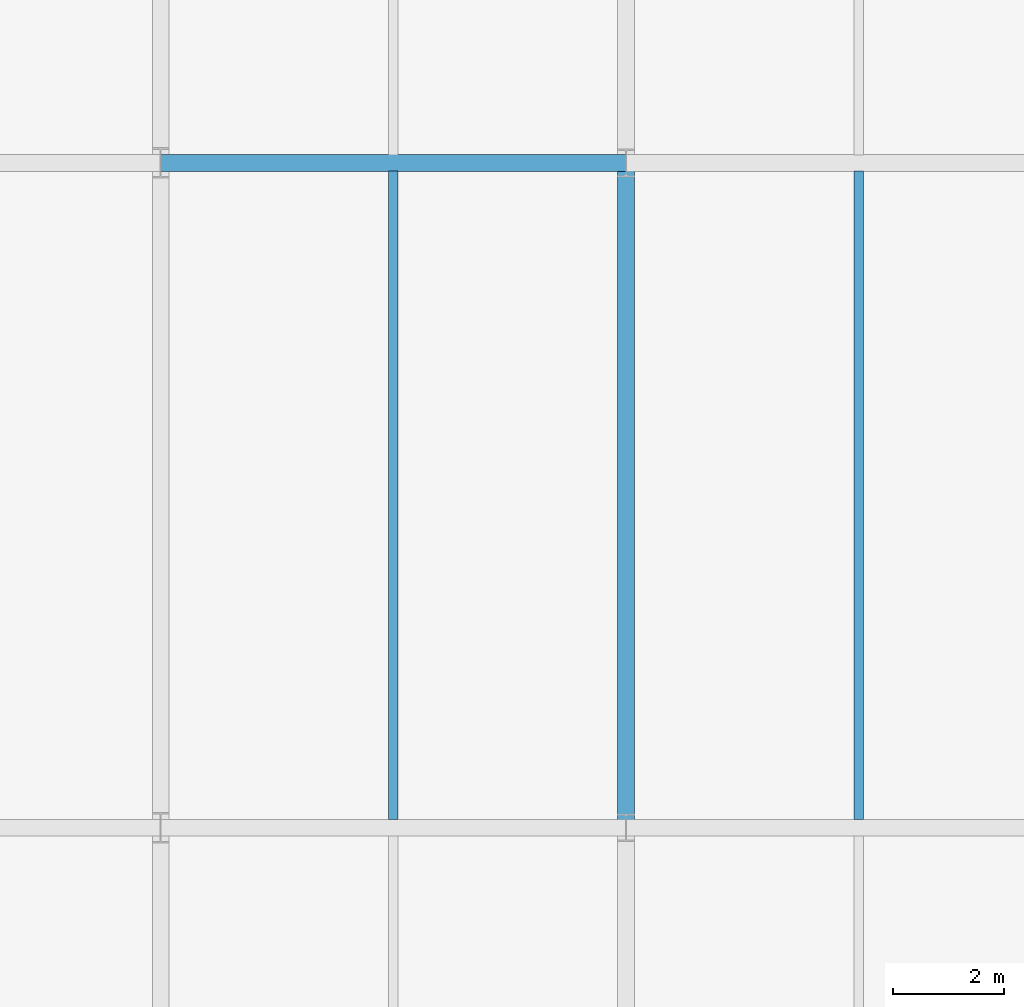
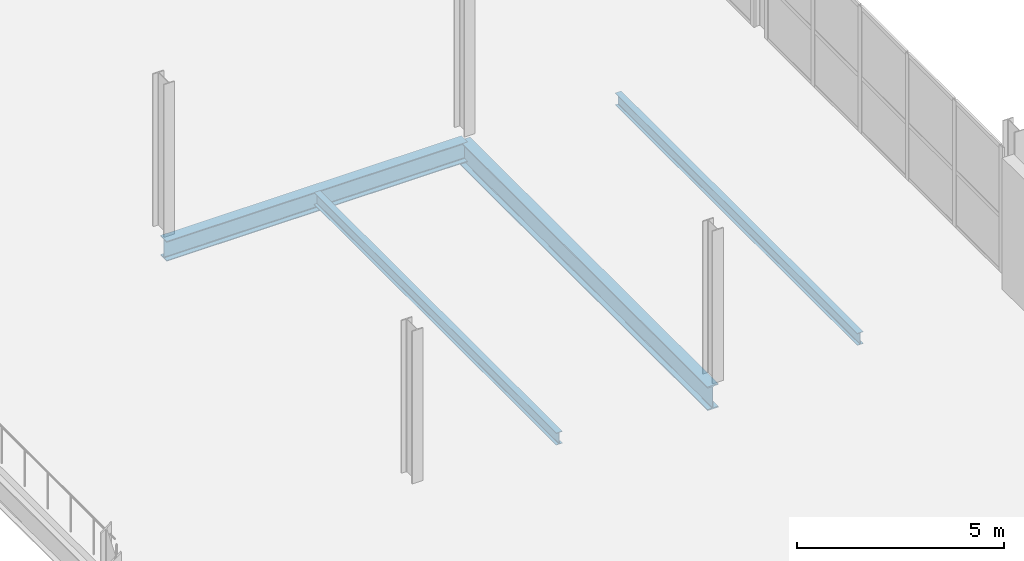
# One storey, part 49 of 109: 4 beams.
"""IFC4 building model written with IfcOpenShell, lengths in metres."""

import ifcopenshell
import ifcopenshell.guid

model = None  # the IFC model being written
_history = None  # IfcOwnerHistory: only IFC2X3 demands one
_inside = {}  # id of a spatial element -> (the spatial element, [elements in it])
_under = {}  # id of a project, library or spatial element -> (it, [spatial elements below it])
_declared = {}  # id of a project -> (the project, [libraries it declares])
_typed = {}  # id of a type object -> (the type object, [elements of that type])
_made_of = {}  # id of a material, layer set ... -> (it, [elements and type objects made of it])


def new_model(schema):
    """Start an empty IFC model of exactly this schema.

    Asked for "IFC4X3", IfcOpenShell would pick the latest addendum, in which some entities
    have other attributes; the version numbers below select the first issue.
    IFC2X3 requires an IfcOwnerHistory on every rooted entity: one is made here for all.
    """
    global model, _history
    if schema == "IFC4X3":
        model = ifcopenshell.file(schema_version=(4, 3, 0, 0))
    else:
        model = ifcopenshell.file(schema=schema)
    _inside.clear()
    _under.clear()
    _declared.clear()
    _typed.clear()
    _made_of.clear()
    _history = None
    if model.schema == "IFC2X3":
        org = make("IfcOrganization", Name="unknown")
        user = make(
            "IfcPersonAndOrganization",
            ThePerson=make("IfcPerson", FamilyName="unknown"),
            TheOrganization=org,
        )
        app = make(
            "IfcApplication",
            ApplicationDeveloper=org,
            Version="unknown",
            ApplicationFullName="unknown",
            ApplicationIdentifier="unknown",
        )
        _history = make(
            "IfcOwnerHistory",
            OwningUser=user,
            OwningApplication=app,
            ChangeAction="ADDED",
            CreationDate=0,
        )
    return model


def make(cls, **values):
    """One entity of the class cls with the attributes given. An attribute that is None is left unset."""
    return model.create_entity(
        cls, **{name: value for name, value in values.items() if value is not None}
    )


def rooted(cls, **values):
    """An entity with a GlobalId (a new one), such as an element, a storey or a relation."""
    return make(cls, GlobalId=ifcopenshell.guid.new(), OwnerHistory=_history, **values)


def si_unit(unit_type, name, prefix=None):
    """IfcSIUnit, for example si_unit("LENGTHUNIT", "METRE", prefix="MILLI")."""
    return make("IfcSIUnit", UnitType=unit_type, Prefix=prefix, Name=name)


def assignment(units):
    """IfcUnitAssignment: the units of a project."""
    return None if units is None else make("IfcUnitAssignment", Units=units)


def point(xyz):
    """IfcCartesianPoint."""
    return None if xyz is None else make("IfcCartesianPoint", Coordinates=xyz)


def direction(xyz):
    """IfcDirection."""
    return None if xyz is None else make("IfcDirection", DirectionRatios=xyz)


def frame(location, z_axis=None, x_axis=None):
    """IfcAxis2Placement3D, a coordinate frame: its origin and axes. An axis left out is left unset."""
    return make(
        "IfcAxis2Placement3D",
        Location=point(location),
        Axis=direction(z_axis),
        RefDirection=direction(x_axis),
    )


def frame_2d(location, x_axis=None):
    """IfcAxis2Placement2D, a coordinate frame in the plane: its origin and x axis."""
    return make(
        "IfcAxis2Placement2D", Location=point(location), RefDirection=direction(x_axis)
    )


def origin():
    """The frame at (0, 0, 0) with its axes left unset."""
    return frame((0.0, 0.0, 0.0))


def origin_2d():
    """The frame at (0, 0) in the plane with its x axis left unset."""
    return frame_2d((0.0, 0.0))


def place(relative_to, where):
    """IfcLocalPlacement: puts the frame where relative to a parent placement (None: the world)."""
    return make(
        "IfcLocalPlacement", PlacementRelTo=relative_to, RelativePlacement=where
    )


def context(
    kind, dimensions, precision=None, world=None, true_north=None, identifier=None
):
    """IfcGeometricRepresentationContext, for example the 3D "Model" context."""
    return make(
        "IfcGeometricRepresentationContext",
        ContextIdentifier=identifier,
        ContextType=kind,
        CoordinateSpaceDimension=dimensions,
        Precision=precision,
        WorldCoordinateSystem=world,
        TrueNorth=true_north,
    )


def subcontext(parent, identifier, kind, view, scale=None):
    """IfcGeometricRepresentationSubContext, for example "Body" below "Model"."""
    return make(
        "IfcGeometricRepresentationSubContext",
        ContextIdentifier=identifier,
        ContextType=kind,
        ParentContext=parent,
        TargetScale=scale,
        TargetView=view,
    )


def project(units=None, contexts=None):
    """IfcProject with its units and contexts."""
    return rooted(
        "IfcProject",
        Name="project",
        RepresentationContexts=contexts,
        UnitsInContext=assignment(units),
    )


def spatial(cls, under=None, at=None, **own):
    """A site, building, storey or space (cls), placed at a placement, below another one or the project."""
    s = rooted(cls, ObjectPlacement=at, **own)
    if under is not None:
        _under.setdefault(under.id(), (under, []))[1].append(s)
    return s


def profile(cls, at=None, kind="AREA", **sizes):
    """A parametric profile (cls). Its sizes go by their IFC names, for example OverallWidth=200.0."""
    return make(cls, ProfileType=kind, Position=at, **sizes)


def i_section(**sizes):
    """IfcIShapeProfileDef."""
    return profile("IfcIShapeProfileDef", **sizes)


def extrude(swept, where, along, depth):
    """IfcExtrudedAreaSolid: the profile swept, set in the frame where, extruded along a direction by depth."""
    return make(
        "IfcExtrudedAreaSolid",
        SweptArea=swept,
        Position=where,
        ExtrudedDirection=direction(along),
        Depth=depth,
    )


def shape(context_of_items, identifier, shape_type, items):
    """IfcShapeRepresentation: the items that make up one representation, for example the "Body"."""
    return make(
        "IfcShapeRepresentation",
        ContextOfItems=context_of_items,
        RepresentationIdentifier=identifier,
        RepresentationType=shape_type,
        Items=items,
    )


def material(Name=None, Category=None):
    """IfcMaterial."""
    return make("IfcMaterial", Name=Name, Category=Category)


def material_profile(
    of_material, cross_section, Name=None, Category=None, Priority=None
):
    """IfcMaterialProfile: a cross section and its material."""
    return make(
        "IfcMaterialProfile",
        Name=Name,
        Material=of_material,
        Profile=cross_section,
        Priority=Priority,
        Category=Category,
    )


def profile_set(profiles, Name=None, composite=None):
    """IfcMaterialProfileSet."""
    return make(
        "IfcMaterialProfileSet",
        Name=Name,
        MaterialProfiles=profiles,
        CompositeProfile=composite,
    )


def made_of(thing, what):
    """Note that an element or type object is made of a material, layer set ...; save() writes the relation."""
    if what is not None:
        _made_of.setdefault(what.id(), (what, []))[1].append(thing)
    return thing


def type_object(cls, material=None, **own):
    """A type object (cls), such as IfcWallType, which elements share."""
    return made_of(rooted(cls, **own), material)


def element(
    cls,
    number,
    at=None,
    inside=None,
    cuts=None,
    type_object=None,
    material=None,
    context=None,
    identifier="Body",
    shape_type=None,
    held_by="IfcProductDefinitionShape",
    body=None,
    shapes=None,
    **own,
):
    """One element of the class cls, such as IfcWall. Its Tag is "e" and its number.

    at: its placement. inside: the storey or other place that contains it. cuts: it is an
    opening in that element (IfcRelVoidsElement). A single representation is given by context,
    identifier, shape_type and body (its items); several are given by shapes. held_by: the class
    of the entity that holds the representations. save() writes the other relations.
    """
    e = rooted(cls, Tag="e%d" % number, ObjectPlacement=at, **own)
    if body is not None:
        shapes = [shape(context, identifier, shape_type, body)]
    if shapes is not None:
        e.Representation = make(held_by, Representations=shapes)
    if inside is not None:
        _inside.setdefault(inside.id(), (inside, []))[1].append(e)
    if cuts is not None:
        rooted(
            "IfcRelVoidsElement", RelatingBuildingElement=cuts, RelatedOpeningElement=e
        )
    if type_object is not None:
        _typed.setdefault(type_object.id(), (type_object, []))[1].append(e)
    return made_of(e, material)


def aggregate(whole, parts):
    """IfcRelAggregates: a whole, such as a stair, and the parts it consists of."""
    return rooted("IfcRelAggregates", RelatingObject=whole, RelatedObjects=parts)


def save(model, path):
    """Write the relations noted so far, then the file.

    IfcRelAggregates (storeys below a building ...), IfcRelContainedInSpatialStructure (elements
    in a storey), IfcRelDefinesByType, IfcRelAssociatesMaterial and IfcRelDeclares: one each for
    every whole, place, type object, material and project.
    """
    for whole, parts in _under.values():
        aggregate(whole, parts)
    for where, things in _inside.values():
        rooted(
            "IfcRelContainedInSpatialStructure",
            RelatedElements=things,
            RelatingStructure=where,
        )
    for kind, things in _typed.values():
        rooted("IfcRelDefinesByType", RelatedObjects=things, RelatingType=kind)
    for what, things in _made_of.values():
        rooted("IfcRelAssociatesMaterial", RelatedObjects=things, RelatingMaterial=what)
    for by, libraries in _declared.values():
        rooted("IfcRelDeclares", RelatingContext=by, RelatedDefinitions=libraries)
    model.write(path)


model = new_model("IFC4")

# Units and contexts
model_context = context("Model", 3, precision=1e-05, world=origin(), true_north=direction((0.0, 1.0)))
body_context = subcontext(model_context, "Body", "Model", "MODEL_VIEW")
ifc_project = project(units=[si_unit("LENGTHUNIT", "METRE"), si_unit("AREAUNIT", "SQUARE_METRE"), si_unit("VOLUMEUNIT", "CUBIC_METRE"), si_unit("PLANEANGLEUNIT", "RADIAN"), si_unit("MASSUNIT", "GRAM", prefix="KILO")], contexts=[model_context])

# Site, building, storey
site_placement = place(None, origin())
site = spatial("IfcSite", under=ifc_project, at=site_placement, CompositionType="ELEMENT")
building_placement = place(site_placement, origin())
building = spatial("IfcBuilding", under=site, at=building_placement, Name="Veltarok Museum of Natural Sciences", CompositionType="ELEMENT")
storey_placement = place(building_placement, frame((0.0, 0.0, 17.39990234375)))
storey = spatial("IfcBuildingStorey", under=building, at=storey_placement, Name="L03", CompositionType="ELEMENT", Elevation=17.39990234375)

# Beams
ifc_material = material(Name="Steel S355J2", Category="steel")
ifc_material_profile_1 = material_profile(ifc_material, i_section(OverallWidth=0.300048828125, OverallDepth=0.590087890625, WebThickness=0.012939453125, FlangeThickness=0.02490234375, FilletRadius=0.027099609375, at=origin_2d()), Name="HEA 600")
ifc_profile_set_1 = profile_set([ifc_material_profile_1], Name="Steel S355J2")
beam_type_1 = type_object("IfcBeamType", Name="Heavy Archive Girder HEA 600", PredefinedType="BEAM", material=ifc_profile_set_1)
beam_1_placement = place(storey_placement, frame((82.0, 60.0, -0.544921875), z_axis=(1.0, 0.0, 0.0), x_axis=(0.0, 1.0, 0.0)))
element("IfcBeam", 1, at=beam_1_placement, inside=storey, type_object=beam_type_1, Name="Beam BM-G07 L03 10-11/G", PredefinedType="BEAM", context=body_context, shape_type="SweptSolid", body=[
    extrude(i_section(OverallWidth=0.300048828125, OverallDepth=0.590087890625, WebThickness=0.012939453125, FlangeThickness=0.02490234375, FilletRadius=0.027099609375, at=origin_2d()), origin(), (0.0, 0.0, 1.0), 8.39990234375),
])
ifc_material_profile_2 = material_profile(ifc_material, i_section(OverallWidth=0.169921875, OverallDepth=0.360107421875, WebThickness=0.008056640625, FlangeThickness=0.0126953125, FilletRadius=0.01806640625, at=origin_2d()), Name="IPE 360")
ifc_profile_set_2 = profile_set([ifc_material_profile_2], Name="Steel S355J2")
beam_type_2 = type_object("IfcBeamType", Name="Long-Bay Composite Joist IPE 360", PredefinedType="JOIST", material=ifc_profile_set_2)
for number, where, z_axis, x_axis, name in (
    (2, (86.199951171875, 48.14794921875, -0.429931640625), (0.0, 1.0, 0.0), (-1.0, 0.0, 0.0), "Secondary Joist BM-J01 L03 10-11/F-G.1"),
    (3, (94.60009765625, 48.14794921875, -0.429931640625), (0.0, 1.0, 0.0), (-1.0, 0.0, 0.0), "Secondary Joist BM-J01 L03 11-12/F-G.1"),
):
    element("IfcBeam", number, at=place(storey_placement, frame(where, z_axis=z_axis, x_axis=x_axis)), inside=storey, type_object=beam_type_2, Name=name, PredefinedType="JOIST", context=body_context, shape_type="SweptSolid", body=[
        extrude(i_section(OverallWidth=0.169921875, OverallDepth=0.360107421875, WebThickness=0.008056640625, FlangeThickness=0.0126953125, FilletRadius=0.01806640625, at=origin_2d()), origin(), (0.0, 0.0, 1.0), 11.7041015625),
    ])
ifc_material_profile_3 = material_profile(ifc_material, i_section(OverallWidth=0.300048828125, OverallDepth=0.699951171875, WebThickness=0.01708984375, FlangeThickness=0.031982421875, FilletRadius=0.027099609375, at=origin_2d()), Name="HEB 700")
ifc_profile_set_3 = profile_set([ifc_material_profile_3], Name="Steel S355J2")
beam_type_3 = type_object("IfcBeamType", Name="Long-Span Hall Girder HEB 700", PredefinedType="BEAM", material=ifc_profile_set_3)
beam_2_placement = place(storey_placement, frame((90.39990234375, 48.0, -0.599853515625), z_axis=(0.0, 1.0, 0.0), x_axis=(-1.0, 0.0, 0.0)))
element("IfcBeam", 4, at=beam_2_placement, inside=storey, type_object=beam_type_3, Name="Beam BM-G01 L03 11/F-G", PredefinedType="BEAM", context=body_context, shape_type="SweptSolid", body=[
    extrude(i_section(OverallWidth=0.300048828125, OverallDepth=0.699951171875, WebThickness=0.01708984375, FlangeThickness=0.031982421875, FilletRadius=0.027099609375, at=origin_2d()), origin(), (0.0, 0.0, 1.0), 12.0),
])

save(model, "model.ifc")
